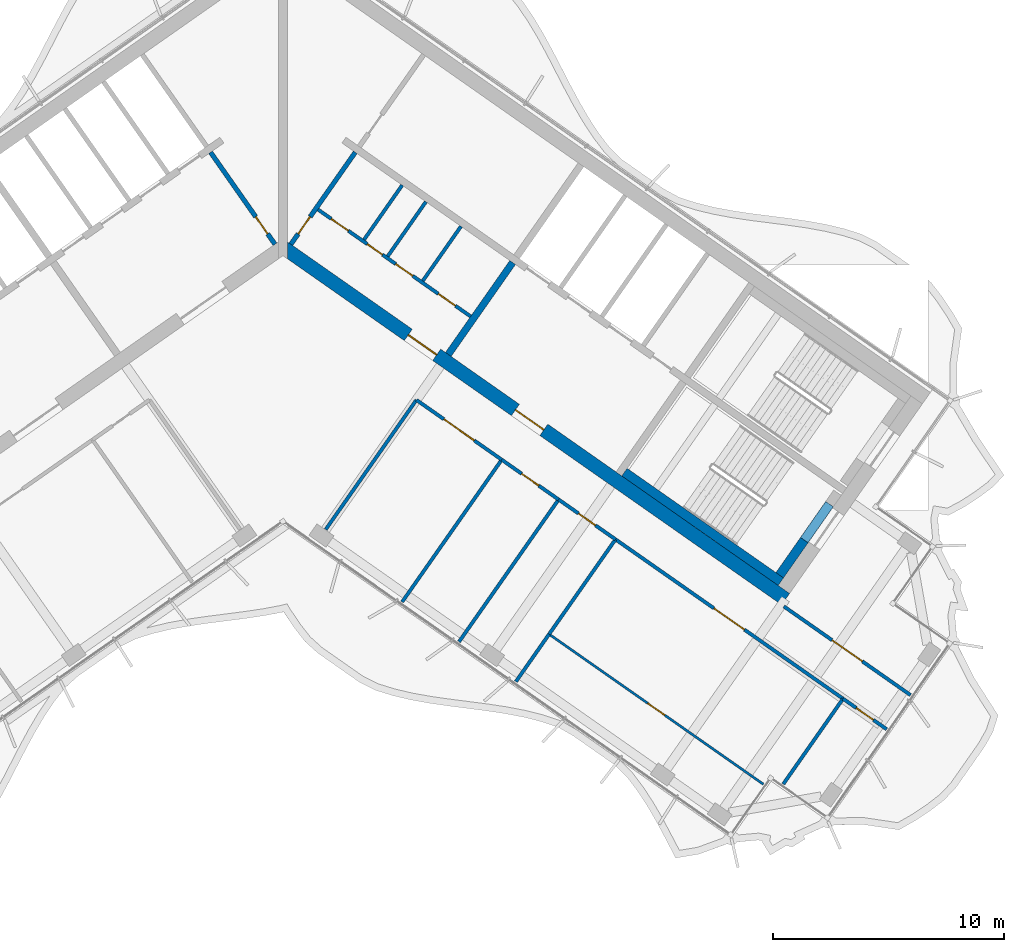
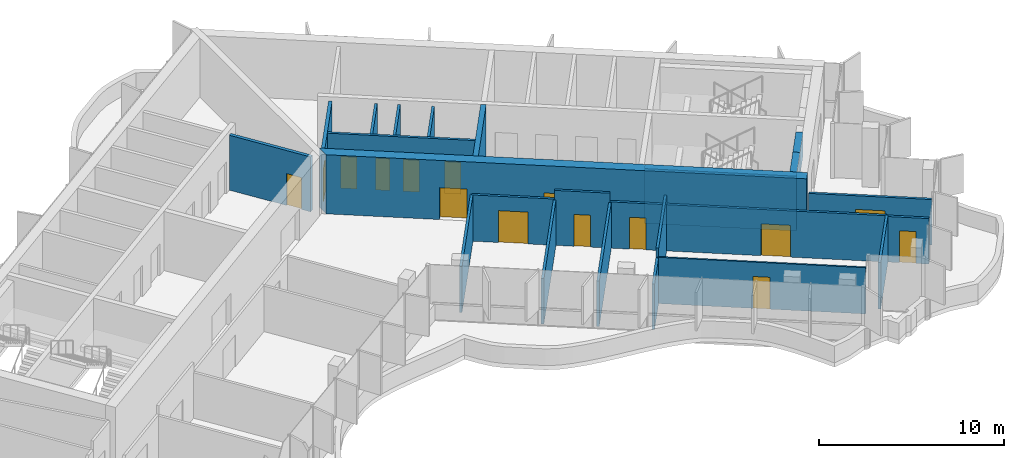
# One storey, part 10 of 17: 24 walls, 15 doors, 15 openings.
"""IFC4 building model written with IfcOpenShell, lengths in metres."""

from ifc_helpers import new_model, si_unit, direction, frame, frame_2d, origin, place, context, subcontext, project, spatial, polyline, rectangle, outline, extrude, material, layer, layer_set, type_object, element, fill, save


model = new_model("IFC4")

# Units and contexts
model_context = context("Model", 3, precision=1e-05, world=origin(), true_north=direction((0.0, 1.0)))
body_context = subcontext(model_context, "Body", "Model", "MODEL_VIEW")
ifc_project = project(units=[si_unit("LENGTHUNIT", "METRE"), si_unit("AREAUNIT", "SQUARE_METRE"), si_unit("VOLUMEUNIT", "CUBIC_METRE"), si_unit("PLANEANGLEUNIT", "RADIAN"), si_unit("MASSUNIT", "GRAM", prefix="KILO")], contexts=[model_context])

# Site, building, storey
site_placement = place(None, origin())
site = spatial("IfcSite", under=ifc_project, at=site_placement, CompositionType="ELEMENT")
building_placement = place(site_placement, origin())
building = spatial("IfcBuilding", under=site, at=building_placement, Name="Tel Ilan Convention Tower", CompositionType="ELEMENT")
storey_placement = place(building_placement, frame((0.0, 0.0, 276.10009765625)))
storey = spatial("IfcBuildingStorey", under=building, at=storey_placement, Name="L65", CompositionType="ELEMENT", Elevation=276.10009765625)

# Wall, openings, doors
ifc_material_1 = material(Name="Gypsum Plasterboard on Steel Stud", Category="steel")
ifc_layer_1 = layer(ifc_material_1, 0.14990234375)
ifc_layer_set_1 = layer_set([ifc_layer_1], Name="Core Room Partition Wall 150 mm EI 60")
wall_type_1 = type_object("IfcWallType", Name="Core Room Partition Wall 150 mm EI 60", PredefinedType="PARTITIONING", material=ifc_layer_set_1)
wall_1_placement = place(storey_placement, frame((1.515625, 0.77001953125, 0.0), z_axis=(0.0, 0.0, 1.0), x_axis=(0.819146424436, -0.573584462249, 0.0)))
wall_1 = element("IfcWall", 1, at=wall_1_placement, inside=storey, type_object=wall_type_1, Name="L65 core wall wc-h1", PredefinedType="PARTITIONING", context=body_context, shape_type="SweptSolid", body=[
    extrude(rectangle(XDim=8.050048828125, YDim=0.14990234375, at=frame_2d((4.02490234375, 0.0))), origin(), (0.0, 0.0, 1.0), 3.619873046875),
])
opening_1_placement = place(wall_1_placement, frame((0.699951171875, 0.0, 0.0)))
opening_1 = element("IfcOpeningElement", 2, at=opening_1_placement, cuts=wall_1, Name="Opening CD5013", PredefinedType="OPENING", context=body_context, shape_type="SweptSolid", body=[
    extrude(rectangle(XDim=0.89990234375, YDim=2.10009765625, at=frame_2d((0.449951171875, 1.050048828125))), frame((0.0, 0.0849609375, 0.0), z_axis=(0.0, -1.0, 0.0), x_axis=(1.0, 0.0, 0.0)), (0.0, 0.0, 1.0), 0.169921875),
])
opening_2_placement = place(wall_1_placement, frame((2.60009765625, 0.0, 0.0)))
opening_2 = element("IfcOpeningElement", 3, at=opening_2_placement, cuts=wall_1, Name="Opening CD5012", PredefinedType="OPENING", context=body_context, shape_type="SweptSolid", body=[
    extrude(rectangle(XDim=0.800048828125, YDim=2.10009765625, at=frame_2d((0.39990234375, 1.050048828125))), frame((0.0, 0.0849609375, 0.0), z_axis=(0.0, -1.0, 0.0), x_axis=(1.0, 0.0, 0.0)), (0.0, 0.0, 1.0), 0.169921875),
])
opening_3_placement = place(wall_1_placement, frame((4.10009765625, 0.0, 0.0)))
opening_3 = element("IfcOpeningElement", 4, at=opening_3_placement, cuts=wall_1, Name="Opening CD5011", PredefinedType="OPENING", context=body_context, shape_type="SweptSolid", body=[
    extrude(rectangle(XDim=0.89990234375, YDim=2.10009765625, at=frame_2d((0.449951171875, 1.050048828125))), frame((0.0, 0.0849609375, 0.0), z_axis=(0.0, -1.0, 0.0), x_axis=(1.0, 0.0, 0.0)), (0.0, 0.0, 1.0), 0.169921875),
])
opening_4_placement = place(wall_1_placement, frame((6.35009765625, 0.0, 0.0)))
opening_4 = element("IfcOpeningElement", 5, at=opening_4_placement, cuts=wall_1, Name="Opening CD5014", PredefinedType="OPENING", context=body_context, shape_type="SweptSolid", body=[
    extrude(rectangle(XDim=0.89990234375, YDim=2.10009765625, at=frame_2d((0.449951171875, 1.050048828125))), frame((0.0, 0.0849609375, 0.0), z_axis=(0.0, -1.0, 0.0), x_axis=(1.0, 0.0, 0.0)), (0.0, 0.0, 1.0), 0.169921875),
])
ifc_material_2 = material(Name="Galvanised Steel Door Leaf", Category="steel")
door_type_1 = type_object("IfcDoorType", Name="Store Door 800 x 2100 FD60", OperationType="NOTDEFINED", PredefinedType="DOOR", material=ifc_material_2)
door_1_placement = place(opening_2_placement, origin())
door_1 = element("IfcDoor", 6, at=door_1_placement, inside=storey, type_object=door_type_1, Name="Cleaner's store door", OperationType="SINGLE_SWING_RIGHT", OverallHeight=2.10009765625, OverallWidth=0.800048828125, PredefinedType="DOOR", context=body_context, shape_type="SweptSolid", body=[
    extrude(rectangle(XDim=0.800048828125, YDim=2.10009765625, at=frame_2d((0.39990234375, 1.050048828125))), frame((0.0, 0.02490234375, 0.0), z_axis=(0.0, -1.0, 0.0), x_axis=(1.0, 0.0, 0.0)), (0.0, 0.0, 1.0), 0.050048828125),
])
fill(opening_2, door_1)
ifc_material_3 = material(Name="Laminated Timber Door Leaf", Category="wood")
door_type_2 = type_object("IfcDoorType", Name="Toilet Door 900 x 2100 FD30S", OperationType="NOTDEFINED", PredefinedType="DOOR", material=ifc_material_3)
door_2_placement = place(opening_1_placement, origin())
door_2 = element("IfcDoor", 7, at=door_2_placement, inside=storey, type_object=door_type_2, Name="Men's WC door", OperationType="SINGLE_SWING_RIGHT", OverallHeight=2.10009765625, OverallWidth=0.89990234375, PredefinedType="DOOR", context=body_context, shape_type="SweptSolid", body=[
    extrude(rectangle(XDim=0.89990234375, YDim=2.10009765625, at=frame_2d((0.449951171875, 1.050048828125))), frame((0.0, 0.02490234375, 0.0), z_axis=(0.0, -1.0, 0.0), x_axis=(1.0, 0.0, 0.0)), (0.0, 0.0, 1.0), 0.050048828125),
])
fill(opening_1, door_2)
door_3_placement = place(opening_3_placement, origin())
door_3 = element("IfcDoor", 8, at=door_3_placement, inside=storey, type_object=door_type_2, Name="Accessible WC door", OperationType="SINGLE_SWING_RIGHT", OverallHeight=2.10009765625, OverallWidth=0.89990234375, PredefinedType="DOOR", context=body_context, shape_type="SweptSolid", body=[
    extrude(rectangle(XDim=0.89990234375, YDim=2.10009765625, at=frame_2d((0.449951171875, 1.050048828125))), frame((0.0, 0.02490234375, 0.0), z_axis=(0.0, -1.0, 0.0), x_axis=(1.0, 0.0, 0.0)), (0.0, 0.0, 1.0), 0.050048828125),
])
fill(opening_3, door_3)
door_4_placement = place(opening_4_placement, origin())
door_4 = element("IfcDoor", 9, at=door_4_placement, inside=storey, type_object=door_type_2, Name="Women's WC door", OperationType="SINGLE_SWING_RIGHT", OverallHeight=2.10009765625, OverallWidth=0.89990234375, PredefinedType="DOOR", context=body_context, shape_type="SweptSolid", body=[
    extrude(rectangle(XDim=0.89990234375, YDim=2.10009765625, at=frame_2d((0.449951171875, 1.050048828125))), frame((0.0, 0.02490234375, 0.0), z_axis=(0.0, -1.0, 0.0), x_axis=(1.0, 0.0, 0.0)), (0.0, 0.0, 1.0), 0.050048828125),
])
fill(opening_4, door_4)

# Walls
wall_2_placement = place(storey_placement, frame((3.504150390625, -0.531005859375, 0.0), z_axis=(0.0, 0.0, 1.0), x_axis=(0.573582013179, 0.819148139324, 0.0)))
element("IfcWall", 10, at=wall_2_placement, inside=storey, type_object=wall_type_1, Name="L65 core wall wc-v0", PredefinedType="PARTITIONING", context=body_context, shape_type="SweptSolid", body=[
    extrude(rectangle(XDim=2.875244140625, YDim=0.14990234375, at=frame_2d((1.4375, 0.0))), origin(), (0.0, 0.0, 1.0), 3.619873046875),
])
wall_3_placement = place(storey_placement, frame((4.528076171875, -1.247802734375, 0.0), z_axis=(0.0, 0.0, 1.0), x_axis=(0.573621911162, 0.819120200602, 0.0)))
element("IfcWall", 11, at=wall_3_placement, inside=storey, type_object=wall_type_1, Name="L65 core wall wc-v1", PredefinedType="PARTITIONING", context=body_context, shape_type="SweptSolid", body=[
    extrude(rectangle(XDim=2.875, YDim=0.14990234375, at=frame_2d((1.4375, 0.0))), origin(), (0.0, 0.0, 1.0), 3.619873046875),
])
wall_4_placement = place(storey_placement, frame((6.043701171875, -2.30908203125, 0.0), z_axis=(0.0, 0.0, 1.0), x_axis=(0.573564930514, 0.819160100642, 0.0)))
element("IfcWall", 12, at=wall_4_placement, inside=storey, type_object=wall_type_1, Name="L65 core wall wc-v2", PredefinedType="PARTITIONING", context=body_context, shape_type="SweptSolid", body=[
    extrude(rectangle(XDim=2.874755859375, YDim=0.14990234375, at=frame_2d((1.4375, 0.0))), origin(), (0.0, 0.0, 1.0), 3.619873046875),
])

# Wall, opening, door
ifc_material_4 = material(Name="Concrete C30/37", Category="concrete")
ifc_layer_2 = layer(ifc_material_4, 0.199951171875)
ifc_layer_set_2 = layer_set([ifc_layer_2], Name="Core Service Room Wall 200 mm C30/37")
wall_type_2 = type_object("IfcWallType", Name="Core Service Room Wall 200 mm C30/37", PredefinedType="SOLIDWALL", material=ifc_layer_set_2)
wall_5_placement = place(storey_placement, frame((-0.343994140625, -0.729248046875, 0.0), z_axis=(0.0, 0.0, 1.0), x_axis=(-0.573560315113, 0.819163332265, 0.0)))
wall_5 = element("IfcWall", 13, at=wall_5_placement, inside=storey, type_object=wall_type_2, Name="L65 core wall apex-W", PredefinedType="SOLIDWALL", context=body_context, shape_type="SweptSolid", body=[
    extrude(rectangle(XDim=4.849853515625, YDim=0.199951171875, at=frame_2d((2.4248046875, 0.0))), origin(), (0.0, 0.0, 1.0), 3.619873046875),
])
opening_5_placement = place(wall_5_placement, frame((0.550048828125, 0.0, 0.0)))
opening_5 = element("IfcOpeningElement", 14, at=opening_5_placement, cuts=wall_5, Name="Opening CD5002", PredefinedType="OPENING", context=body_context, shape_type="SweptSolid", body=[
    extrude(rectangle(XDim=0.89990234375, YDim=2.10009765625, at=frame_2d((0.449951171875, 1.050048828125))), frame((0.0, 0.10986328125, 0.0), z_axis=(0.0, -1.0, 0.0), x_axis=(1.0, 0.0, 0.0)), (0.0, 0.0, 1.0), 0.219970703125),
])
ifc_material_5 = material(Name="Galvanised Steel Door Leaf", Category="steel")
door_type_3 = type_object("IfcDoorType", Name="Service Room Door 900 x 2100 FD60", OperationType="NOTDEFINED", PredefinedType="DOOR", material=ifc_material_5)
door_5_placement = place(opening_5_placement, origin())
door_5 = element("IfcDoor", 15, at=door_5_placement, inside=storey, type_object=door_type_3, Name="Riser Room door", OperationType="SINGLE_SWING_RIGHT", OverallHeight=2.10009765625, OverallWidth=0.89990234375, PredefinedType="DOOR", context=body_context, shape_type="SweptSolid", body=[
    extrude(rectangle(XDim=0.89990234375, YDim=2.10009765625, at=frame_2d((0.449951171875, 1.050048828125))), frame((0.0, 0.02490234375, 0.0), z_axis=(0.0, -1.0, 0.0), x_axis=(1.0, 0.0, 0.0)), (0.0, 0.0, 1.0), 0.050048828125),
])
fill(opening_5, door_5)

wall_6_placement = place(storey_placement, frame((0.343994140625, -0.729248046875, 0.0), z_axis=(0.0, 0.0, 1.0), x_axis=(0.573560315113, 0.819163332265, 0.0)))
wall_6 = element("IfcWall", 16, at=wall_6_placement, inside=storey, type_object=wall_type_2, Name="L65 core wall apex-E", PredefinedType="SOLIDWALL", context=body_context, shape_type="SweptSolid", body=[
    extrude(rectangle(XDim=4.849853515625, YDim=0.199951171875, at=frame_2d((2.4248046875, 0.0))), origin(), (0.0, 0.0, 1.0), 3.619873046875),
])
opening_6_placement = place(wall_6_placement, frame((0.550048828125, 0.0, 0.0)))
opening_6 = element("IfcOpeningElement", 17, at=opening_6_placement, cuts=wall_6, Name="Opening CD5001", PredefinedType="OPENING", context=body_context, shape_type="SweptSolid", body=[
    extrude(rectangle(XDim=0.89990234375, YDim=2.10009765625, at=frame_2d((0.449951171875, 1.050048828125))), frame((0.0, 0.10986328125, 0.0), z_axis=(0.0, -1.0, 0.0), x_axis=(1.0, 0.0, 0.0)), (0.0, 0.0, 1.0), 0.219970703125),
])
door_6_placement = place(opening_6_placement, origin())
door_6 = element("IfcDoor", 18, at=door_6_placement, inside=storey, type_object=door_type_3, Name="Electrical Room door", OperationType="SINGLE_SWING_RIGHT", OverallHeight=2.10009765625, OverallWidth=0.89990234375, PredefinedType="DOOR", context=body_context, shape_type="SweptSolid", body=[
    extrude(rectangle(XDim=0.89990234375, YDim=2.10009765625, at=frame_2d((0.449951171875, 1.050048828125))), frame((0.0, 0.02490234375, 0.0), z_axis=(0.0, -1.0, 0.0), x_axis=(1.0, 0.0, 0.0)), (0.0, 0.0, 1.0), 0.050048828125),
])
fill(opening_6, door_6)

# Wall
ifc_material_6 = material(Name="Concrete C40/50", Category="concrete")
ifc_layer_3 = layer(ifc_material_6, 0.300048828125)
ifc_layer_set_3 = layer_set([ifc_layer_3], Name="Core Shear Wall 300 mm C40/50")
wall_type_3 = type_object("IfcWallType", Name="Core Shear Wall 300 mm C40/50", PredefinedType="SHEAR", material=ifc_layer_set_3)
wall_7_placement = place(storey_placement, frame((7.142822265625, -5.48974609375, 0.0), z_axis=(0.0, 0.0, 1.0), x_axis=(0.573617744349, 0.819123118565, 0.0)))
element("IfcWall", 19, at=wall_7_placement, inside=storey, type_object=wall_type_3, Name="L65 core wall E-cross1-1", PredefinedType="SHEAR", context=body_context, shape_type="SweptSolid", body=[
    extrude(outline(polyline([(0.0, 0.14990234375), (0.0, -0.150146484375), (4.85009765625, -0.14990234375), (4.85009765625, 0.150146484375), (0.0, 0.14990234375)])), origin(), (0.0, 0.0, 1.0), 3.89990234375),
])

# Wall, openings, doors
ifc_material_7 = material(Name="Concrete C40/50", Category="concrete")
ifc_layer_4 = layer(ifc_material_7, 0.60009765625)
ifc_layer_set_4 = layer_set([ifc_layer_4], Name="Core Shear Wall 600 mm C40/50")
wall_type_4 = type_object("IfcWallType", Name="Core Shear Wall 600 mm C40/50", PredefinedType="SHEAR", material=ifc_layer_set_4)
wall_8_placement = place(storey_placement, frame((0.02783203125, -0.8740234375, 0.0), z_axis=(0.0, 0.0, 1.0), x_axis=(0.819150035022, -0.573579305871, 0.0)))
wall_8 = element("IfcWall", 20, at=wall_8_placement, inside=storey, type_object=wall_type_4, Name="L65 core wall E-front", PredefinedType="SHEAR", context=body_context, shape_type="SweptSolid", body=[
    extrude(outline(polyline([(26.475830078125, 0.300048828125), (0.000244140625, 0.300048828125), (0.420166015625, -0.300048828125), (26.475830078125, -0.2998046875), (26.475830078125, 0.300048828125)])), origin(), (0.0, 0.0, 1.0), 3.89990234375),
])
opening_7_placement = place(wall_8_placement, frame((6.57568359375, 0.0, 0.0)))
opening_7 = element("IfcOpeningElement", 21, at=opening_7_placement, cuts=wall_8, Name="Opening CD5004", PredefinedType="OPENING", context=body_context, shape_type="SweptSolid", body=[
    extrude(rectangle(XDim=1.5, YDim=2.10009765625, at=frame_2d((0.75, 1.050048828125))), frame((0.0, 0.31005859375, 0.0), z_axis=(0.0, -1.0, 0.0), x_axis=(1.0, 0.0, 0.0)), (0.0, 0.0, 1.0), 0.6201171875),
])
opening_8_placement = place(wall_8_placement, frame((12.225830078125, 0.0, 0.0)))
opening_8 = element("IfcOpeningElement", 22, at=opening_8_placement, cuts=wall_8, Name="Opening CD5005", PredefinedType="OPENING", context=body_context, shape_type="SweptSolid", body=[
    extrude(rectangle(XDim=1.5, YDim=2.10009765625, at=frame_2d((0.75, 1.050048828125))), frame((0.0, 0.31005859375, 0.0), z_axis=(0.0, -1.0, 0.0), x_axis=(1.0, 0.0, 0.0)), (0.0, 0.0, 1.0), 0.6201171875),
])
ifc_material_8 = material(Name="Glazed Aluminium Door Leaf", Category="aluminium")
door_type_4 = type_object("IfcDoorType", Name="Lobby Opening Door 1500 x 2100 FD60S", OperationType="NOTDEFINED", PredefinedType="DOOR", material=ifc_material_8)
door_7_placement = place(opening_8_placement, origin())
door_7 = element("IfcDoor", 23, at=door_7_placement, inside=storey, type_object=door_type_4, Name="Firefighting Lobby door", OperationType="DOUBLE_DOOR_SINGLE_SWING", OverallHeight=2.10009765625, OverallWidth=1.5, PredefinedType="DOOR", context=body_context, shape_type="SweptSolid", body=[
    extrude(rectangle(XDim=1.5, YDim=2.10009765625, at=frame_2d((0.75, 1.050048828125))), frame((0.0, 0.02490234375, 0.0), z_axis=(0.0, -1.0, 0.0), x_axis=(1.0, 0.0, 0.0)), (0.0, 0.0, 1.0), 0.050048828125),
])
fill(opening_8, door_7)
ifc_material_9 = material(Name="Laminated Timber Door Leaf", Category="wood")
door_type_5 = type_object("IfcDoorType", Name="Toilet Door 1500 x 2100 FD30S", OperationType="NOTDEFINED", PredefinedType="DOOR", material=ifc_material_9)
door_8_placement = place(opening_7_placement, origin())
door_8 = element("IfcDoor", 24, at=door_8_placement, inside=storey, type_object=door_type_5, Name="WC Lobby door", OperationType="SINGLE_SWING_RIGHT", OverallHeight=2.10009765625, OverallWidth=1.5, PredefinedType="DOOR", context=body_context, shape_type="SweptSolid", body=[
    extrude(rectangle(XDim=1.5, YDim=2.10009765625, at=frame_2d((0.75, 1.050048828125))), frame((0.0, 0.02490234375, 0.0), z_axis=(0.0, -1.0, 0.0), x_axis=(1.0, 0.0, 0.0)), (0.0, 0.0, 1.0), 0.050048828125),
])
fill(opening_7, door_8)

# Wall, opening, door
ifc_material_10 = material(Name="Plasterboard on Steel Studs", Category="steel")
ifc_layer_5 = layer(ifc_material_10, 0.14990234375)
ifc_layer_set_5 = layer_set([ifc_layer_5], Name="Fire-rated Partition 150 EI 60")
wall_type_5 = type_object("IfcWallType", Name="Fire-rated Partition 150 EI 60", PredefinedType="PARTITIONING", material=ifc_layer_set_5)
wall_9_placement = place(storey_placement, frame((21.641845703125, -16.37451171875, 0.0), z_axis=(0.0, 0.0, 1.0), x_axis=(0.819147777977, -0.573582529227, 0.0)))
wall_9 = element("IfcWall", 25, at=wall_9_placement, inside=storey, type_object=wall_type_5, Name="Partition 001", PredefinedType="PARTITIONING", context=body_context, shape_type="SweptSolid", body=[
    extrude(rectangle(XDim=6.679931640625, YDim=0.14990234375, at=frame_2d((3.33984375, 0.0))), origin(), (0.0, 0.0, 1.0), 3.0),
])
opening_9_placement = place(wall_9_placement, frame((2.5400390625, 0.0, 0.0)))
opening_9 = element("IfcOpeningElement", 26, at=opening_9_placement, cuts=wall_9, Name="Opening L65-015", PredefinedType="OPENING", context=body_context, shape_type="SweptSolid", body=[
    extrude(rectangle(XDim=1.60009765625, YDim=2.10009765625, at=frame_2d((0.800048828125, 1.050048828125))), frame((0.0, 0.0849609375, 0.0), z_axis=(0.0, -1.0, 0.0), x_axis=(1.0, 0.0, 0.0)), (0.0, 0.0, 1.0), 0.169921875),
])
ifc_material_11 = material(Name="Timber Door Leaf in Steel Frame", Category="steel")
door_type_6 = type_object("IfcDoorType", Name="Tenant Suite Entrance Fire Door 1600x2100", OperationType="NOTDEFINED", PredefinedType="DOOR", material=ifc_material_11)
door_9_placement = place(opening_9_placement, origin())
door_9 = element("IfcDoor", 27, at=door_9_placement, inside=storey, type_object=door_type_6, Name="Door L65-015", OperationType="DOUBLE_DOOR_SINGLE_SWING", OverallHeight=2.10009765625, OverallWidth=1.60009765625, PredefinedType="DOOR", context=body_context, shape_type="SweptSolid", body=[
    extrude(rectangle(XDim=1.60009765625, YDim=2.10009765625, at=frame_2d((0.800048828125, 1.050048828125))), frame((0.0, 0.02490234375, 0.0), z_axis=(0.0, -1.0, 0.0), x_axis=(1.0, 0.0, 0.0)), (0.0, 0.0, 1.0), 0.050048828125),
])
fill(opening_9, door_9)

wall_10_placement = place(storey_placement, frame((9.4541015625, -10.0380859375, 0.0), z_axis=(0.0, 0.0, 1.0), x_axis=(-0.819142740634, 0.573589723117, 0.0)))
wall_10 = element("IfcWall", 28, at=wall_10_placement, inside=storey, type_object=wall_type_5, Name="Partition 002", PredefinedType="PARTITIONING", context=body_context, shape_type="SweptSolid", body=[
    extrude(rectangle(XDim=4.501953125, YDim=0.14990234375, at=frame_2d((2.2509765625, 0.0))), origin(), (0.0, 0.0, 1.0), 3.0498046875),
])
opening_10_placement = place(wall_10_placement, frame((1.450927734375, 0.0, 0.0)))
opening_10 = element("IfcOpeningElement", 29, at=opening_10_placement, cuts=wall_10, Name="Opening L65-009", PredefinedType="OPENING", context=body_context, shape_type="SweptSolid", body=[
    extrude(rectangle(XDim=1.60009765625, YDim=2.10009765625, at=frame_2d((0.800048828125, 1.050048828125))), frame((0.0, 0.0849609375, 0.0), z_axis=(0.0, -1.0, 0.0), x_axis=(1.0, 0.0, 0.0)), (0.0, 0.0, 1.0), 0.169921875),
])
door_10_placement = place(opening_10_placement, origin())
door_10 = element("IfcDoor", 30, at=door_10_placement, inside=storey, type_object=door_type_6, Name="Door L65-009", OperationType="DOUBLE_DOOR_SINGLE_SWING", OverallHeight=2.10009765625, OverallWidth=1.60009765625, PredefinedType="DOOR", context=body_context, shape_type="SweptSolid", body=[
    extrude(rectangle(XDim=1.60009765625, YDim=2.10009765625, at=frame_2d((0.800048828125, 1.050048828125))), frame((0.0, 0.02490234375, 0.0), z_axis=(0.0, -1.0, 0.0), x_axis=(1.0, 0.0, 0.0)), (0.0, 0.0, 1.0), 0.050048828125),
])
fill(opening_10, door_10)

wall_11_placement = place(storey_placement, frame((11.91162109375, -11.7587890625, 0.0), z_axis=(0.0, 0.0, 1.0), x_axis=(-0.81916700466, 0.573555070134, 0.0)))
wall_11 = element("IfcWall", 31, at=wall_11_placement, inside=storey, type_object=wall_type_5, Name="Partition 003", PredefinedType="PARTITIONING", context=body_context, shape_type="SweptSolid", body=[
    extrude(rectangle(XDim=3.00390625, YDim=0.14990234375, at=frame_2d((1.501953125, 0.0))), origin(), (0.0, 0.0, 1.0), 3.619873046875),
])
opening_11_placement = place(wall_11_placement, frame((1.052001953125, 0.0, 0.0)))
opening_11 = element("IfcOpeningElement", 32, at=opening_11_placement, cuts=wall_11, Name="Opening L65-010", PredefinedType="OPENING", context=body_context, shape_type="SweptSolid", body=[
    extrude(rectangle(XDim=0.89990234375, YDim=2.10009765625, at=frame_2d((0.449951171875, 1.050048828125))), frame((0.0, 0.0849609375, 0.0), z_axis=(0.0, -1.0, 0.0), x_axis=(1.0, 0.0, 0.0)), (0.0, 0.0, 1.0), 0.169921875),
])
ifc_material_12 = material(Name="Timber Door Leaf in Steel Frame", Category="steel")
door_type_7 = type_object("IfcDoorType", Name="Room Fire Door 900x2100", OperationType="NOTDEFINED", PredefinedType="DOOR", material=ifc_material_12)
door_11_placement = place(opening_11_placement, origin())
door_11 = element("IfcDoor", 33, at=door_11_placement, inside=storey, type_object=door_type_7, Name="Door L65-010", OperationType="SINGLE_SWING_LEFT", OverallHeight=2.10009765625, OverallWidth=0.89990234375, PredefinedType="DOOR", context=body_context, shape_type="SweptSolid", body=[
    extrude(rectangle(XDim=0.89990234375, YDim=2.10009765625, at=frame_2d((0.449951171875, 1.050048828125))), frame((0.0, 0.02490234375, 0.0), z_axis=(0.0, -1.0, 0.0), x_axis=(1.0, 0.0, 0.0)), (0.0, 0.0, 1.0), 0.050048828125),
])
fill(opening_11, door_11)

wall_12_placement = place(storey_placement, frame((14.369140625, -13.4794921875, 0.0), z_axis=(0.0, 0.0, 1.0), x_axis=(-0.81916700466, 0.573555070134, 0.0)))
wall_12 = element("IfcWall", 34, at=wall_12_placement, inside=storey, type_object=wall_type_5, Name="Partition 004", PredefinedType="PARTITIONING", context=body_context, shape_type="SweptSolid", body=[
    extrude(rectangle(XDim=3.00390625, YDim=0.14990234375, at=frame_2d((1.501953125, 0.0))), origin(), (0.0, 0.0, 1.0), 3.0498046875),
])
opening_12_placement = place(wall_12_placement, frame((1.052001953125, 0.0, 0.0)))
opening_12 = element("IfcOpeningElement", 35, at=opening_12_placement, cuts=wall_12, Name="Opening L65-011", PredefinedType="OPENING", context=body_context, shape_type="SweptSolid", body=[
    extrude(rectangle(XDim=0.89990234375, YDim=2.10009765625, at=frame_2d((0.449951171875, 1.050048828125))), frame((0.0, 0.0849609375, 0.0), z_axis=(0.0, -1.0, 0.0), x_axis=(1.0, 0.0, 0.0)), (0.0, 0.0, 1.0), 0.169921875),
])
door_12_placement = place(opening_12_placement, origin())
door_12 = element("IfcDoor", 36, at=door_12_placement, inside=storey, type_object=door_type_7, Name="Door L65-011", OperationType="SINGLE_SWING_RIGHT", OverallHeight=2.10009765625, OverallWidth=0.89990234375, PredefinedType="DOOR", context=body_context, shape_type="SweptSolid", body=[
    extrude(rectangle(XDim=0.89990234375, YDim=2.10009765625, at=frame_2d((0.449951171875, 1.050048828125))), frame((0.0, 0.02490234375, 0.0), z_axis=(0.0, -1.0, 0.0), x_axis=(1.0, 0.0, 0.0)), (0.0, 0.0, 1.0), 0.050048828125),
])
fill(opening_12, door_12)

wall_13_placement = place(storey_placement, frame((24.198974609375, -20.3623046875, 0.0), z_axis=(0.0, 0.0, 1.0), x_axis=(-0.819164075089, 0.573559254204, 0.0)))
wall_13 = element("IfcWall", 37, at=wall_13_placement, inside=storey, type_object=wall_type_5, Name="Partition 005", PredefinedType="PARTITIONING", context=body_context, shape_type="SweptSolid", body=[
    extrude(rectangle(XDim=12.00390625, YDim=0.14990234375, at=frame_2d((6.001953125, 0.0))), origin(), (0.0, 0.0, 1.0), 3.0498046875),
])
opening_13_placement = place(wall_13_placement, frame((5.201904296875, 0.0, 0.0)))
opening_13 = element("IfcOpeningElement", 38, at=opening_13_placement, cuts=wall_13, Name="Opening L65-012", PredefinedType="OPENING", context=body_context, shape_type="SweptSolid", body=[
    extrude(rectangle(XDim=1.60009765625, YDim=2.10009765625, at=frame_2d((0.800048828125, 1.050048828125))), frame((0.0, 0.0849609375, 0.0), z_axis=(0.0, -1.0, 0.0), x_axis=(1.0, 0.0, 0.0)), (0.0, 0.0, 1.0), 0.169921875),
])
door_13_placement = place(opening_13_placement, origin())
door_13 = element("IfcDoor", 39, at=door_13_placement, inside=storey, type_object=door_type_6, Name="Door L65-012", OperationType="DOUBLE_DOOR_SINGLE_SWING", OverallHeight=2.10009765625, OverallWidth=1.60009765625, PredefinedType="DOOR", context=body_context, shape_type="SweptSolid", body=[
    extrude(rectangle(XDim=1.60009765625, YDim=2.10009765625, at=frame_2d((0.800048828125, 1.050048828125))), frame((0.0, 0.02490234375, 0.0), z_axis=(0.0, -1.0, 0.0), x_axis=(1.0, 0.0, 0.0)), (0.0, 0.0, 1.0), 0.050048828125),
])
fill(opening_13, door_13)

wall_14_placement = place(storey_placement, frame((26.081298828125, -21.680419921875, 0.0), z_axis=(0.0, 0.0, 1.0), x_axis=(-0.819172126429, 0.573547755014, 0.0)))
wall_14 = element("IfcWall", 40, at=wall_14_placement, inside=storey, type_object=wall_type_5, Name="Partition 006", PredefinedType="PARTITIONING", context=body_context, shape_type="SweptSolid", body=[
    extrude(rectangle(XDim=2.302001953125, YDim=0.14990234375, at=frame_2d((1.15087890625, 0.0))), origin(), (0.0, 0.0, 1.0), 3.0),
])
opening_14_placement = place(wall_14_placement, frame((0.700927734375, 0.0, 0.0)))
opening_14 = element("IfcOpeningElement", 41, at=opening_14_placement, cuts=wall_14, Name="Opening L65-014", PredefinedType="OPENING", context=body_context, shape_type="SweptSolid", body=[
    extrude(rectangle(XDim=0.89990234375, YDim=2.10009765625, at=frame_2d((0.449951171875, 1.050048828125))), frame((0.0, 0.0849609375, 0.0), z_axis=(0.0, -1.0, 0.0), x_axis=(1.0, 0.0, 0.0)), (0.0, 0.0, 1.0), 0.169921875),
])
door_14_placement = place(opening_14_placement, origin())
door_14 = element("IfcDoor", 42, at=door_14_placement, inside=storey, type_object=door_type_7, Name="Door L65-014", OperationType="SINGLE_SWING_RIGHT", OverallHeight=2.10009765625, OverallWidth=0.89990234375, PredefinedType="DOOR", context=body_context, shape_type="SweptSolid", body=[
    extrude(rectangle(XDim=0.89990234375, YDim=2.10009765625, at=frame_2d((0.449951171875, 1.050048828125))), frame((0.0, 0.02490234375, 0.0), z_axis=(0.0, -1.0, 0.0), x_axis=(1.0, 0.0, 0.0)), (0.0, 0.0, 1.0), 0.050048828125),
])
fill(opening_14, door_14)

# Walls
wall_15_placement = place(storey_placement, frame((9.452392578125, -10.036865234375, 0.0), z_axis=(0.0, 0.0, 1.0), x_axis=(-0.573575945067, -0.81915238829, 0.0)))
element("IfcWall", 43, at=wall_15_placement, inside=storey, type_object=wall_type_5, Name="Partition 014", PredefinedType="PARTITIONING", context=body_context, shape_type="SweptSolid", body=[
    extrude(rectangle(XDim=7.5, YDim=0.14990234375, at=frame_2d((3.75, 0.0))), origin(), (0.0, 0.0, 1.0), 3.0),
])
wall_16_placement = place(storey_placement, frame((1.848876953125, -13.050537109375, 0.0), z_axis=(0.0, 0.0, 1.0), x_axis=(0.573577493031, 0.819151304393, 0.0)))
element("IfcWall", 44, at=wall_16_placement, inside=storey, type_object=wall_type_5, Name="Partition 015", PredefinedType="PARTITIONING", context=body_context, shape_type="SweptSolid", body=[
    extrude(rectangle(XDim=6.829833984375, YDim=0.14990234375, at=frame_2d((3.4150390625, 0.0))), origin(), (0.0, 0.0, 1.0), 3.0498046875),
])
wall_17_placement = place(storey_placement, frame((11.909912109375, -11.757568359375, 0.0), z_axis=(0.0, 0.0, 1.0), x_axis=(-0.573560650686, -0.819163097304, 0.0)))
element("IfcWall", 45, at=wall_17_placement, inside=storey, type_object=wall_type_5, Name="Partition 016", PredefinedType="PARTITIONING", context=body_context, shape_type="SweptSolid", body=[
    extrude(rectangle(XDim=7.5, YDim=0.14990234375, at=frame_2d((3.75, 0.0))), origin(), (0.0, 0.0, 1.0), 3.0),
])
wall_18_placement = place(storey_placement, frame((11.5, -17.5732421875, 0.0), z_axis=(0.0, 0.0, 1.0), x_axis=(-0.573501652684, -0.819204403289, 0.0)))
element("IfcWall", 46, at=wall_18_placement, inside=storey, type_object=wall_type_5, Name="Partition 017", PredefinedType="PARTITIONING", context=body_context, shape_type="SweptSolid", body=[
    extrude(rectangle(XDim=2.5009765625, YDim=0.14990234375, at=frame_2d((1.25048828125, 0.0))), origin(), (0.0, 0.0, 1.0), 3.0),
])
wall_19_placement = place(storey_placement, frame((14.367431640625, -13.478515625, 0.0), z_axis=(0.0, 0.0, 1.0), x_axis=(-0.573613022702, -0.819126425033, 0.0)))
element("IfcWall", 47, at=wall_19_placement, inside=storey, type_object=wall_type_5, Name="Partition 018", PredefinedType="PARTITIONING", context=body_context, shape_type="SweptSolid", body=[
    extrude(rectangle(XDim=5.001953125, YDim=0.14990234375, at=frame_2d((2.5009765625, 0.0))), origin(), (0.0, 0.0, 1.0), 3.619873046875),
])
wall_20_placement = place(storey_placement, frame((24.197265625, -20.361328125, 0.0), z_axis=(0.0, 0.0, 1.0), x_axis=(-0.573560650686, -0.819163097304, 0.0)))
element("IfcWall", 48, at=wall_20_placement, inside=storey, type_object=wall_type_5, Name="Partition 020", PredefinedType="PARTITIONING", context=body_context, shape_type="SweptSolid", body=[
    extrude(rectangle(XDim=4.5, YDim=0.14990234375, at=frame_2d((2.25, 0.0))), origin(), (0.0, 0.0, 1.0), 3.0498046875),
])

# Wall, opening, door
ifc_material_13 = material(Name="Plasterboard on Steel Studs", Category="steel")
ifc_layer_6 = layer(ifc_material_13, 0.10009765625)
ifc_layer_set_6 = layer_set([ifc_layer_6], Name="Plasterboard Partition 100")
wall_type_6 = type_object("IfcWallType", Name="Plasterboard Partition 100", PredefinedType="PARTITIONING", material=ifc_layer_set_6)
wall_21_placement = place(storey_placement, frame((20.75537109375, -24.056396484375, 0.0), z_axis=(0.0, 0.0, 1.0), x_axis=(-0.819148680192, 0.573581240749, 0.0)))
wall_21 = element("IfcWall", 49, at=wall_21_placement, inside=storey, type_object=wall_type_6, Name="Partition 019", PredefinedType="PARTITIONING", context=body_context, shape_type="SweptSolid", body=[
    extrude(rectangle(XDim=11.300048828125, YDim=0.10009765625, at=frame_2d((5.64990234375, 0.0))), origin(), (0.0, 0.0, 1.0), 3.0498046875),
])
opening_15_placement = place(wall_21_placement, frame((5.199951171875, 0.0, 0.0)))
opening_15 = element("IfcOpeningElement", 50, at=opening_15_placement, cuts=wall_21, Name="Opening L65-013", PredefinedType="OPENING", context=body_context, shape_type="SweptSolid", body=[
    extrude(rectangle(XDim=0.89990234375, YDim=2.10009765625, at=frame_2d((0.449951171875, 1.050048828125))), frame((0.0, 0.06005859375, 0.0), z_axis=(0.0, -1.0, 0.0), x_axis=(1.0, 0.0, 0.0)), (0.0, 0.0, 1.0), 0.1201171875),
])
ifc_material_14 = material(Name="Timber Door Leaf in Steel Frame", Category="steel")
door_type_8 = type_object("IfcDoorType", Name="Room Timber Door 900x2100", OperationType="NOTDEFINED", PredefinedType="DOOR", material=ifc_material_14)
door_15_placement = place(opening_15_placement, origin())
door_15 = element("IfcDoor", 51, at=door_15_placement, inside=storey, type_object=door_type_8, Name="Door L65-013", OperationType="SINGLE_SWING_RIGHT", OverallHeight=2.10009765625, OverallWidth=0.89990234375, PredefinedType="DOOR", context=body_context, shape_type="SweptSolid", body=[
    extrude(rectangle(XDim=0.89990234375, YDim=2.10009765625, at=frame_2d((0.449951171875, 1.050048828125))), frame((0.0, 0.02490234375, 0.0), z_axis=(0.0, -1.0, 0.0), x_axis=(1.0, 0.0, 0.0)), (0.0, 0.0, 1.0), 0.050048828125),
])
fill(opening_15, door_15)

# Walls
ifc_material_15 = material(Name="Concrete C30/37", Category="concrete")
ifc_layer_7 = layer(ifc_material_15, 0.39990234375)
ifc_layer_set_7 = layer_set([ifc_layer_7], Name="Stair and Shaft Lining Wall 400 mm C30/37")
wall_type_7 = type_object("IfcWallType", Name="Stair and Shaft Lining Wall 400 mm C30/37", PredefinedType="SOLIDWALL", material=ifc_layer_set_7)
wall_22_placement = place(storey_placement, frame((14.7529296875, -10.57421875, 0.0), z_axis=(0.0, 0.0, 1.0), x_axis=(0.819158229677, -0.573567602601, 0.0)))
element("IfcWall", 52, at=wall_22_placement, inside=storey, type_object=wall_type_7, Name="L65 core wall lining-S4-t0", PredefinedType="SOLIDWALL", context=body_context, shape_type="SweptSolid", body=[
    extrude(rectangle(XDim=8.25, YDim=0.39990234375, at=frame_2d((4.125, 0.0))), origin(), (0.0, 0.0, 1.0), 3.619873046875),
])
wall_23_placement = place(storey_placement, frame((21.4619140625, -15.027587890625, 0.0), z_axis=(0.0, 0.0, 1.0), x_axis=(0.573559770908, 0.819163713305, 0.0)))
element("IfcWall", 53, at=wall_23_placement, inside=storey, type_object=wall_type_7, Name="L65 core wall lining-S4-u1-0", PredefinedType="SOLIDWALL", context=body_context, shape_type="SweptSolid", body=[
    extrude(rectangle(XDim=1.849853515625, YDim=0.39990234375, at=frame_2d((0.9248046875, 0.0))), origin(), (0.0, 0.0, 1.0), 3.619873046875),
])
wall_24_placement = place(storey_placement, frame((22.52294921875, -13.51220703125, 2.14990234375), z_axis=(0.0, 0.0, 1.0), x_axis=(0.573591692345, 0.819141361715, 0.0)))
element("IfcWall", 54, at=wall_24_placement, inside=storey, type_object=wall_type_7, Name="L65 core wall lining-S4-u1-lintel", PredefinedType="SOLIDWALL", context=body_context, shape_type="SweptSolid", body=[
    extrude(rectangle(XDim=1.900146484375, YDim=0.39990234375, at=frame_2d((0.9501953125, 0.0))), origin(), (0.0, 0.0, 1.0), 1.469970703125),
])

save(model, "model.ifc")
